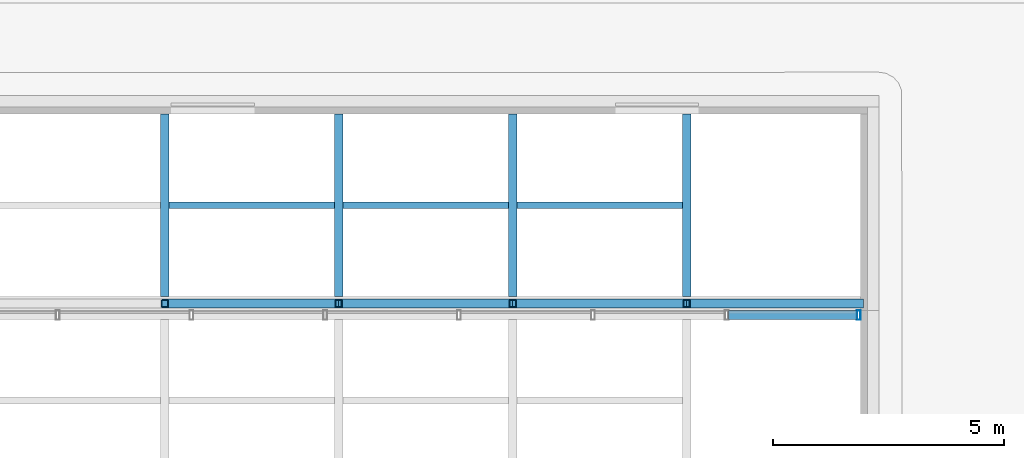
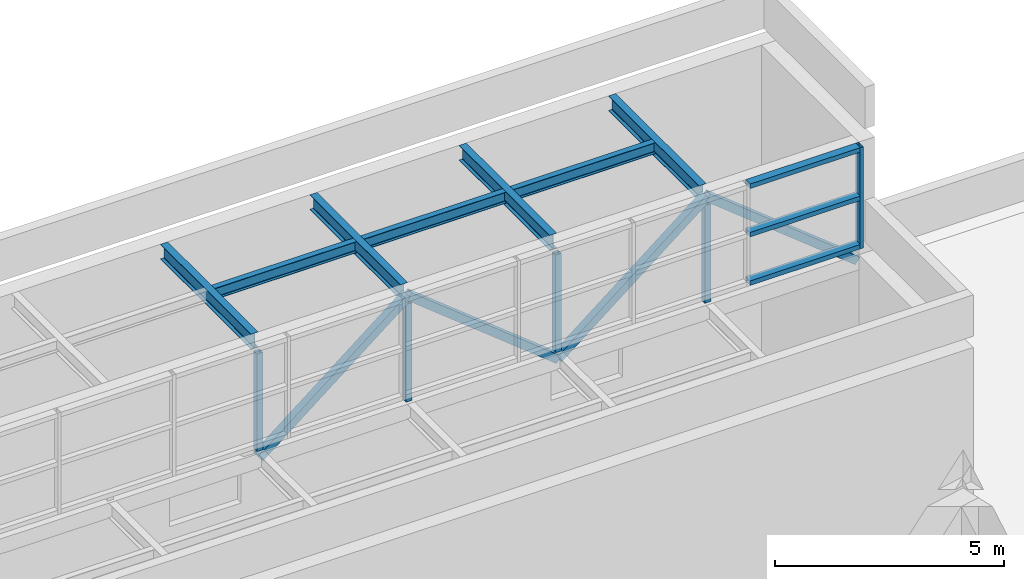
# One storey, part 54 of 72: 15 members, 4 beams, 1 element without a shape of its own.
"""IFC4 building model written with IfcOpenShell, lengths in metres."""

from ifc_helpers import new_model, si_unit, direction, frame, origin, origin_2d, place, context, subcontext, project, spatial, hollow_rectangle, i_section, extrude, material, layer, layer_set, material_profile, profile_set, type_object, element, aggregate, save


model = new_model("IFC4")

# Units and contexts
model_context = context("Model", 3, precision=1e-05, world=origin(), true_north=direction((0.0, 1.0)))
body_context = subcontext(model_context, "Body", "Model", "MODEL_VIEW")
ifc_project = project(units=[si_unit("LENGTHUNIT", "METRE"), si_unit("AREAUNIT", "SQUARE_METRE"), si_unit("VOLUMEUNIT", "CUBIC_METRE"), si_unit("PLANEANGLEUNIT", "RADIAN"), si_unit("MASSUNIT", "GRAM", prefix="KILO")], contexts=[model_context])

# Site, building, storey
site_placement = place(None, origin())
site = spatial("IfcSite", under=ifc_project, at=site_placement, CompositionType="ELEMENT")
building_placement = place(site_placement, origin())
building = spatial("IfcBuilding", under=site, at=building_placement, Name="Nzadi Deep Aquarium and Research Tower", CompositionType="ELEMENT")
storey_placement = place(building_placement, frame((0.0, 0.0, 31.89990234375)))
storey = spatial("IfcBuildingStorey", under=building, at=storey_placement, Name="L05", CompositionType="ELEMENT", Elevation=31.89990234375)

# Members
ifc_material_1 = material(Name="Steel S355", Category="steel")
ifc_material_profile_1 = material_profile(ifc_material_1, i_section(OverallWidth=0.14990234375, OverallDepth=0.300048828125, WebThickness=0.007080078125, FlangeThickness=0.0107421875, FilletRadius=0.014892578125, at=origin_2d()))
ifc_profile_set_1 = profile_set([ifc_material_profile_1], Name="Steel S355")
member_type_1 = type_object("IfcMemberType", Name="IPE 300", PredefinedType="PURLIN", material=ifc_profile_set_1)
for number, where, z_axis, x_axis, name in (
    (1, (32.64990234375, 138.175048828125, 8.650146484375), (1.0, 0.0, 0.0), (0.0, 1.0, 0.0), "MB-HL-ROOF-NPU-6"),
    (2, (36.409912109375, 138.175048828125, 8.650146484375), (1.0, 0.0, 0.0), (0.0, 1.0, 0.0), "MB-HL-ROOF-NPU-7"),
    (3, (40.169921875, 138.175048828125, 8.650146484375), (1.0, 0.0, 0.0), (0.0, 1.0, 0.0), "MB-HL-ROOF-NPU-8"),
):
    element("IfcMember", number, at=place(storey_placement, frame(where, z_axis=z_axis, x_axis=x_axis)), inside=storey, type_object=member_type_1, Name=name, PredefinedType="PURLIN", context=body_context, shape_type="SweptSolid", body=[
        extrude(i_section(OverallWidth=0.14990234375, OverallDepth=0.300048828125, WebThickness=0.007080078125, FlangeThickness=0.0107421875, FilletRadius=0.014892578125, at=origin_2d()), origin(), (0.0, 0.0, 1.0), 3.580078125),
    ])

# Beams
ifc_material_2 = material(Name="Steel S355", Category="steel")
ifc_material_profile_2 = material_profile(ifc_material_2, i_section(OverallWidth=0.179931640625, OverallDepth=0.39990234375, WebThickness=0.008544921875, FlangeThickness=0.013427734375, FilletRadius=0.02099609375, at=origin_2d()))
ifc_profile_set_2 = profile_set([ifc_material_profile_2], Name="Steel S355")
beam_type = type_object("IfcBeamType", Name="IPE 400", PredefinedType="BEAM", material=ifc_profile_set_2)
for number, where, z_axis, x_axis, name in (
    (4, (32.56005859375, 136.199951171875, 8.60009765625), (0.0, 1.0, 0.0), (-1.0, 0.0, 0.0), "B-HL-ROOF-H6"),
    (5, (36.320068359375, 136.199951171875, 8.60009765625), (0.0, 1.0, 0.0), (-1.0, 0.0, 0.0), "B-HL-ROOF-H7"),
    (6, (40.080078125, 136.199951171875, 8.60009765625), (0.0, 1.0, 0.0), (-1.0, 0.0, 0.0), "B-HL-ROOF-H8"),
    (7, (43.840087890625, 136.199951171875, 8.60009765625), (0.0, 1.0, 0.0), (-1.0, 0.0, 0.0), "B-HL-ROOF-H9"),
):
    element("IfcBeam", number, at=place(storey_placement, frame(where, z_axis=z_axis, x_axis=x_axis)), inside=storey, type_object=beam_type, Name=name, PredefinedType="BEAM", context=body_context, shape_type="SweptSolid", body=[
        extrude(i_section(OverallWidth=0.179931640625, OverallDepth=0.39990234375, WebThickness=0.008544921875, FlangeThickness=0.013427734375, FilletRadius=0.02099609375, at=origin_2d()), origin(), (0.0, 0.0, 1.0), 3.949951171875),
    ])

# Curtain wall, member
ifc_material_3 = material(Name="Aluminium glazing frame tall", Category="aluminium")
ifc_layer = layer(ifc_material_3, 0.199951171875)
ifc_layer_set = layer_set([ifc_layer], Name="Aluminium glazing frame tall")
curtain_wall_type = type_object("IfcCurtainWallType", Name="Curtain wall Clerestory Tall 200", PredefinedType="NOTDEFINED", material=ifc_layer_set)
curtain_wall_placement = place(storey_placement, origin())
curtain_wall = element("IfcCurtainWall", 8, at=curtain_wall_placement, inside=storey, type_object=curtain_wall_type, Name="Events hall clerestory glazing", PredefinedType="NOTDEFINED")
ifc_material_4 = material(Name="Aluminium glazing frame tall", Category="aluminium")
ifc_material_profile_3 = material_profile(ifc_material_4, hollow_rectangle(XDim=0.199951171875, YDim=0.080078125, WallThickness=0.0048828125, at=origin_2d()))
ifc_profile_set_3 = profile_set([ifc_material_profile_3], Name="Aluminium glazing frame tall")
member_type_2 = type_object("IfcMemberType", Name="Mullion 80x200 Clerestory Tall", PredefinedType="MULLION", material=ifc_profile_set_3)
member_1_placement = place(storey_placement, frame((47.56005859375, 135.800048828125, 6.10009765625), z_axis=(0.0, 0.0, 1.0), x_axis=(0.0, 1.0, 0.0)))
member_1 = element("IfcMember", 9, at=member_1_placement, type_object=member_type_2, Name="CW259 mullion 14", PredefinedType="MULLION", context=body_context, shape_type="SweptSolid", body=[
    extrude(hollow_rectangle(XDim=0.199951171875, YDim=0.080078125, WallThickness=0.0048828125, at=origin_2d()), origin(), (0.0, 0.0, 1.0), 2.699951171875),
])

# Members
ifc_material_5 = material(Name="Steel S355", Category="steel")
ifc_material_profile_4 = material_profile(ifc_material_5, hollow_rectangle(XDim=0.14990234375, YDim=0.14990234375, WallThickness=0.008056640625, at=origin_2d()))
ifc_profile_set_4 = profile_set([ifc_material_profile_4], Name="Steel S355")
member_type_3 = type_object("IfcMemberType", Name="RHS 150x150x8 post", PredefinedType="POST", material=ifc_profile_set_4)
for number, where, z_axis, x_axis, name in (
    (10, (32.56005859375, 136.050048828125, 5.800048828125), (0.0, 0.0, 1.0), (1.0, 0.0, 0.0), "MB-HL-STEP-V6"),
    (11, (36.320068359375, 136.050048828125, 5.800048828125), (0.0, 0.0, 1.0), (1.0, 0.0, 0.0), "MB-HL-STEP-V7"),
    (12, (40.080078125, 136.050048828125, 5.800048828125), (0.0, 0.0, 1.0), (1.0, 0.0, 0.0), "MB-HL-STEP-V8"),
    (13, (43.840087890625, 136.050048828125, 5.800048828125), (0.0, 0.0, 1.0), (1.0, 0.0, 0.0), "MB-HL-STEP-V9"),
):
    element("IfcMember", number, at=place(storey_placement, frame(where, z_axis=z_axis, x_axis=x_axis)), inside=storey, type_object=member_type_3, Name=name, PredefinedType="POST", context=body_context, shape_type="SweptSolid", body=[
        extrude(hollow_rectangle(XDim=0.14990234375, YDim=0.14990234375, WallThickness=0.008056640625, at=origin_2d()), origin(), (0.0, 0.0, 1.0), 2.60009765625),
    ])
ifc_material_6 = material(Name="Steel S355", Category="steel")
ifc_material_profile_5 = material_profile(ifc_material_6, hollow_rectangle(XDim=0.199951171875, YDim=0.199951171875, WallThickness=0.011962890625, at=origin_2d()))
ifc_profile_set_5 = profile_set([ifc_material_profile_5], Name="Steel S355")
member_type_4 = type_object("IfcMemberType", Name="RHS 200x200x12 brace", PredefinedType="BRACE", material=ifc_profile_set_5)
for number, where, z_axis, x_axis, name in (
    (14, (32.56005859375, 136.050048828125, 5.60009765625), (0.781680232216, 0.0, 0.623679416497), (0.0, 1.0, 0.0), "MB-HL-STEP-D7"),
    (15, (36.320068359375, 136.050048828125, 8.60009765625), (0.781680232216, 0.0, -0.623679416497), (0.0, 1.0, 0.0), "MB-HL-STEP-D8"),
    (16, (40.080078125, 136.050048828125, 5.60009765625), (0.781680232216, 0.0, 0.623679416497), (0.0, 1.0, 0.0), "MB-HL-STEP-D9"),
    (17, (43.840087890625, 136.050048828125, 8.60009765625), (0.781680232216, 0.0, -0.623679416497), (0.0, 1.0, 0.0), "MB-HL-STEP-D10"),
):
    element("IfcMember", number, at=place(storey_placement, frame(where, z_axis=z_axis, x_axis=x_axis)), inside=storey, type_object=member_type_4, Name=name, PredefinedType="BRACE", context=body_context, shape_type="SweptSolid", body=[
        extrude(hollow_rectangle(XDim=0.199951171875, YDim=0.199951171875, WallThickness=0.011962890625, at=origin_2d()), origin(), (0.0, 0.0, 1.0), 4.81005859375),
    ])

# Member
ifc_material_7 = material(Name="Aluminium glazing frame tall", Category="aluminium")
ifc_material_profile_6 = material_profile(ifc_material_7, hollow_rectangle(XDim=0.199951171875, YDim=0.1201171875, WallThickness=0.0048828125, at=origin_2d()))
ifc_profile_set_6 = profile_set([ifc_material_profile_6], Name="Aluminium glazing frame tall")
member_type_5 = type_object("IfcMemberType", Name="Transom 120x200 Clerestory Tall", PredefinedType="MULLION", material=ifc_profile_set_6)
member_2_placement = place(storey_placement, frame((44.747802734375, 135.800048828125, 6.16015625), z_axis=(1.0, 0.0, 0.0), x_axis=(0.0, 1.0, 0.0)))
member_2 = element("IfcMember", 18, at=member_2_placement, type_object=member_type_5, Name="CW259 transom 13.1", PredefinedType="MULLION", context=body_context, shape_type="SweptSolid", body=[
    extrude(hollow_rectangle(XDim=0.199951171875, YDim=0.1201171875, WallThickness=0.0048828125, at=origin_2d()), origin(), (0.0, 0.0, 1.0), 2.772216796875),
])

member_3_placement = place(storey_placement, frame((44.747802734375, 135.800048828125, 7.4501953125), z_axis=(1.0, 0.0, 0.0), x_axis=(0.0, 1.0, 0.0)))
member_3 = element("IfcMember", 19, at=member_3_placement, type_object=member_type_5, Name="CW259 transom 13.2", PredefinedType="MULLION", context=body_context, shape_type="SweptSolid", body=[
    extrude(hollow_rectangle(XDim=0.199951171875, YDim=0.1201171875, WallThickness=0.0048828125, at=origin_2d()), origin(), (0.0, 0.0, 1.0), 2.772216796875),
])

member_4_placement = place(storey_placement, frame((44.747802734375, 135.800048828125, 8.739990234375), z_axis=(1.0, 0.0, 0.0), x_axis=(0.0, 1.0, 0.0)))
member_4 = element("IfcMember", 20, at=member_4_placement, type_object=member_type_5, Name="CW259 transom 13.3", PredefinedType="MULLION", context=body_context, shape_type="SweptSolid", body=[
    extrude(hollow_rectangle(XDim=0.199951171875, YDim=0.1201171875, WallThickness=0.0048828125, at=origin_2d()), origin(), (0.0, 0.0, 1.0), 2.772216796875),
])

aggregate(curtain_wall, [member_1, member_2, member_3, member_4])

save(model, "model.ifc")
